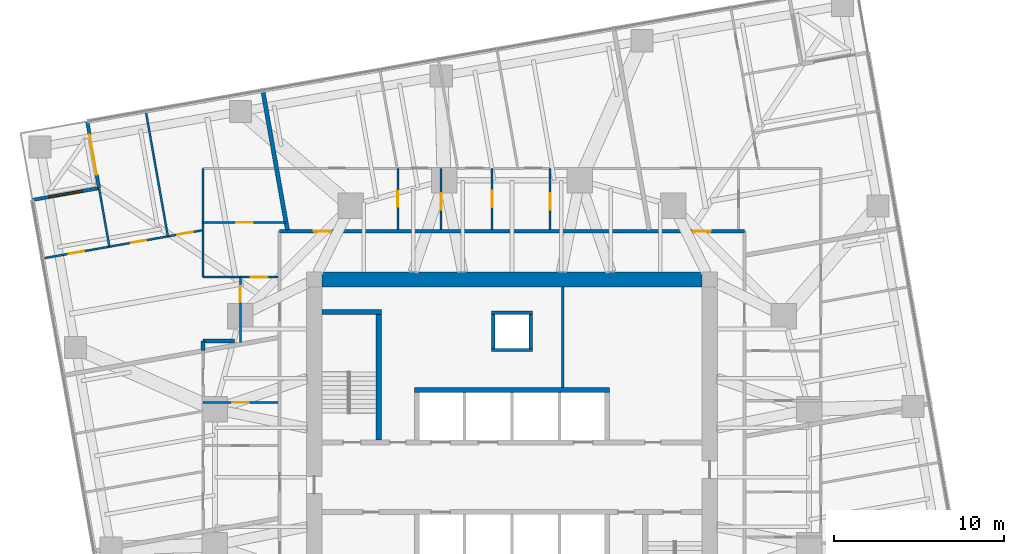
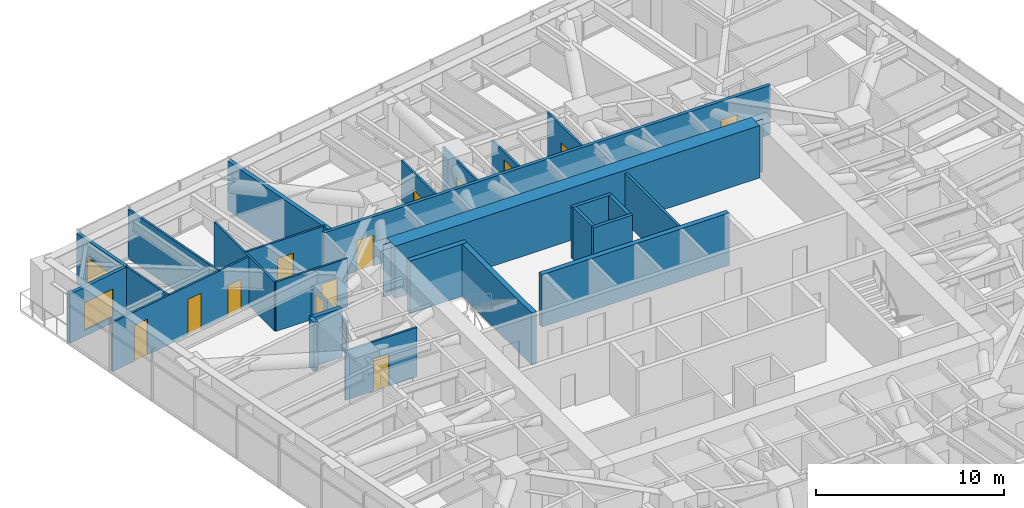
# One storey, part 14 of 17: 27 walls, 14 doors, 1 window, 15 openings.
"""IFC4 building model written with IfcOpenShell, lengths in metres."""

from ifc_helpers import new_model, si_unit, direction, frame, frame_2d, origin, place, context, subcontext, project, spatial, polyline, rectangle, outline, extrude, material, layer, layer_set, type_object, element, fill, save


model = new_model("IFC4")

# Units and contexts
model_context = context("Model", 3, precision=1e-05, world=origin(), true_north=direction((0.0, 1.0)))
body_context = subcontext(model_context, "Body", "Model", "MODEL_VIEW")
ifc_project = project(units=[si_unit("LENGTHUNIT", "METRE"), si_unit("AREAUNIT", "SQUARE_METRE"), si_unit("VOLUMEUNIT", "CUBIC_METRE"), si_unit("PLANEANGLEUNIT", "RADIAN"), si_unit("MASSUNIT", "GRAM", prefix="KILO")], contexts=[model_context])

# Site, building, storey
site_placement = place(None, origin())
site = spatial("IfcSite", under=ifc_project, at=site_placement, CompositionType="ELEMENT")
building_placement = place(site_placement, origin())
building = spatial("IfcBuilding", under=site, at=building_placement, Name="Torsade Residences", CompositionType="ELEMENT")
storey_placement = place(building_placement, frame((0.0, 0.0, 103.199951171875)))
storey = spatial("IfcBuildingStorey", under=building, at=storey_placement, Name="L28", CompositionType="ELEMENT", Elevation=103.199951171875)

# Walls
ifc_material_1 = material(Name="Concrete 80 MPa", Category="concrete")
ifc_layer_1 = layer(ifc_material_1, 0.300048828125)
ifc_layer_set_1 = layer_set([ifc_layer_1], Name="Concrete 80 MPa")
wall_type_1 = type_object("IfcWallType", Name="CORE INTERNAL WALL 300", PredefinedType="SHEAR", material=ifc_layer_set_1)
wall_1_placement = place(storey_placement, frame((34.25, 35.14990234375, 0.0), z_axis=(0.0, 0.0, 1.0), x_axis=(1.0, 0.0, 0.0)))
element("IfcWall", 1, at=wall_1_placement, inside=storey, type_object=wall_type_1, Name="Core wall BN L28", PredefinedType="SHEAR", context=body_context, shape_type="SweptSolid", body=[
    extrude(rectangle(XDim=11.5, YDim=0.300048828125, at=frame_2d((5.75, 0.0))), origin(), (0.0, 0.0, 1.0), 3.400146484375),
])
wall_2_placement = place(storey_placement, frame((32.14990234375, 32.199951171875, 0.0), z_axis=(0.0, 0.0, 1.0), x_axis=(0.0, 1.0, 0.0)))
element("IfcWall", 2, at=wall_2_placement, inside=storey, type_object=wall_type_1, Name="Core wall ST1E L28", PredefinedType="SHEAR", context=body_context, shape_type="SweptSolid", body=[
    extrude(rectangle(XDim=7.699951171875, YDim=0.300048828125, at=frame_2d((3.85009765625, 0.0))), origin(), (0.0, 0.0, 1.0), 3.400146484375),
])
wall_3_placement = place(storey_placement, frame((28.800048828125, 39.75, 0.0), z_axis=(0.0, 0.0, 1.0), x_axis=(1.0, 0.0, 0.0)))
element("IfcWall", 3, at=wall_3_placement, inside=storey, type_object=wall_type_1, Name="Core wall ST1N L28", PredefinedType="SHEAR", context=body_context, shape_type="SweptSolid", body=[
    extrude(rectangle(XDim=3.5, YDim=0.300048828125, at=frame_2d((1.75, 0.0))), origin(), (0.0, 0.0, 1.0), 3.400146484375),
])
ifc_material_2 = material(Name="Concrete 80 MPa", Category="concrete")
ifc_layer_2 = layer(ifc_material_2, 0.89990234375)
ifc_layer_set_2 = layer_set([ifc_layer_2], Name="Concrete 80 MPa")
wall_type_2 = type_object("IfcWallType", Name="CORE WALL 900", PredefinedType="SHEAR", material=ifc_layer_set_2)
wall_4_placement = place(storey_placement, frame((28.800048828125, 41.64990234375, 0.0), z_axis=(0.0, 0.0, 1.0), x_axis=(1.0, 0.0, 0.0)))
element("IfcWall", 4, at=wall_4_placement, inside=storey, type_object=wall_type_2, Name="Core wall N L28", PredefinedType="SHEAR", context=body_context, shape_type="SweptSolid", body=[
    extrude(outline(polyline([(0.0, -0.449951171875), (22.39990234375, -0.449951171875), (22.39990234375, -0.02490234375), (22.849853515625, -0.02490234375), (22.849853515625, 0.02490234375), (22.39990234375, 0.02490234375), (22.39990234375, 0.449951171875), (0.0, 0.449951171875), (0.0, 0.02490234375), (-0.449951171875, 0.02490234375), (-0.449951171875, -0.02490234375), (0.0, -0.02490234375), (0.0, -0.449951171875)])), origin(), (0.0, 0.0, 1.0), 3.400146484375),
])

# Wall, openings, doors
ifc_material_3 = material(Name="Plasterboard on steel stud", Category="steel")
ifc_layer_3 = layer(ifc_material_3, 0.199951171875)
ifc_layer_set_3 = layer_set([ifc_layer_3], Name="Plasterboard on steel stud")
wall_type_3 = type_object("IfcWallType", Name="CORRIDOR WALL 200", PredefinedType="PARTITIONING", material=ifc_layer_set_3)
wall_5_placement = place(storey_placement, frame((53.699951171875, 44.5, 0.0), z_axis=(0.0, 0.0, 1.0), x_axis=(-1.0, 0.0, 0.0)))
wall_5 = element("IfcWall", 5, at=wall_5_placement, inside=storey, type_object=wall_type_3, Name="Corridor wall L28", PredefinedType="PARTITIONING", context=body_context, shape_type="SweptSolid", body=[
    extrude(rectangle(XDim=27.39990234375, YDim=0.199951171875, at=frame_2d((13.699951171875, 0.0))), origin(), (0.0, 0.0, 1.0), 3.199951171875),
])
opening_1_placement = place(wall_5_placement, frame((24.355712890625, 0.0, 0.0)))
opening_1 = element("IfcOpeningElement", 6, at=opening_1_placement, cuts=wall_5, Name="Opening D01N", PredefinedType="OPENING", context=body_context, shape_type="SweptSolid", body=[
    extrude(rectangle(XDim=1.02001953125, YDim=2.0, at=frame_2d((0.510009765625, 1.0))), frame((0.0, 0.10986328125, 0.0), z_axis=(0.0, -1.0, 0.0), x_axis=(1.0, 0.0, 0.0)), (0.0, 0.0, 1.0), 0.219970703125),
])
opening_2_placement = place(wall_5_placement, frame((2.00537109375, 0.0, 0.0)))
opening_2 = element("IfcOpeningElement", 7, at=opening_2_placement, cuts=wall_5, Name="Opening D01N", PredefinedType="OPENING", context=body_context, shape_type="SweptSolid", body=[
    extrude(rectangle(XDim=1.02001953125, YDim=2.0, at=frame_2d((0.510009765625, 1.0))), frame((0.0, 0.10986328125, 0.0), z_axis=(0.0, -1.0, 0.0), x_axis=(1.0, 0.0, 0.0)), (0.0, 0.0, 1.0), 0.219970703125),
])
ifc_material_4 = material(Name="Solid-core timber fire door", Category="wood")
door_type_1 = type_object("IfcDoorType", Name="APARTMENT ENTRY DOOR 1020x2000", OperationType="NOTDEFINED", PredefinedType="DOOR", material=ifc_material_4)
door_1_placement = place(opening_1_placement, origin())
door_1 = element("IfcDoor", 8, at=door_1_placement, inside=storey, type_object=door_type_1, Name="Door Residential corridor to Kitchen and dining", OperationType="SINGLE_SWING_RIGHT", OverallHeight=2.0, OverallWidth=1.02001953125, PredefinedType="DOOR", context=body_context, shape_type="SweptSolid", body=[
    extrude(rectangle(XDim=1.02001953125, YDim=2.0, at=frame_2d((0.510009765625, 1.0))), frame((0.0, 0.02490234375, 0.0), z_axis=(0.0, -1.0, 0.0), x_axis=(1.0, 0.0, 0.0)), (0.0, 0.0, 1.0), 0.050048828125),
])
fill(opening_1, door_1)
door_2_placement = place(opening_2_placement, origin())
door_2 = element("IfcDoor", 9, at=door_2_placement, inside=storey, type_object=door_type_1, Name="Door Residential corridor to Kitchen and dining", OperationType="SINGLE_SWING_LEFT", OverallHeight=2.0, OverallWidth=1.02001953125, PredefinedType="DOOR", context=body_context, shape_type="SweptSolid", body=[
    extrude(rectangle(XDim=1.02001953125, YDim=2.0, at=frame_2d((0.510009765625, 1.0))), frame((0.0, 0.02490234375, 0.0), z_axis=(0.0, -1.0, 0.0), x_axis=(1.0, 0.0, 0.0)), (0.0, 0.0, 1.0), 0.050048828125),
])
fill(opening_2, door_2)

# Wall, opening, door
ifc_material_5 = material(Name="Plasterboard on steel stud", Category="steel")
ifc_layer_4 = layer(ifc_material_5, 0.1201171875)
ifc_layer_set_4 = layer_set([ifc_layer_4], Name="Plasterboard on steel stud")
wall_type_4 = type_object("IfcWallType", Name="PARTITION 120", PredefinedType="PARTITIONING", material=ifc_layer_set_4)
wall_6_placement = place(storey_placement, frame((33.2734375, 48.199951171875, 0.0), z_axis=(0.0, 0.0, 1.0), x_axis=(0.0, -1.0, 0.0)))
wall_6 = element("IfcWall", 10, at=wall_6_placement, inside=storey, type_object=wall_type_4, Name="Partition L28", PredefinedType="PARTITIONING", context=body_context, shape_type="SweptSolid", body=[
    extrude(rectangle(XDim=3.599853515625, YDim=0.1201171875, at=frame_2d((1.7998046875, 0.0))), origin(), (0.0, 0.0, 1.0), 3.199951171875),
])
opening_3_placement = place(wall_6_placement, frame((1.340087890625, 0.0, 0.0)))
opening_3 = element("IfcOpeningElement", 11, at=opening_3_placement, cuts=wall_6, Name="Opening D02L", PredefinedType="OPENING", context=body_context, shape_type="SweptSolid", body=[
    extrude(rectangle(XDim=0.919921875, YDim=2.10009765625, at=frame_2d((0.4599609375, 1.050048828125))), frame((0.0, 0.070068359375, 0.0), z_axis=(0.0, -1.0, 0.0), x_axis=(1.0, 0.0, 0.0)), (0.0, 0.0, 1.0), 0.14013671875),
])
ifc_material_6 = material(Name="Hollow-core timber door", Category="wood")
door_type_2 = type_object("IfcDoorType", Name="INTERNAL DOOR 920x2100", OperationType="NOTDEFINED", PredefinedType="DOOR", material=ifc_material_6)
door_3_placement = place(opening_3_placement, origin())
door_3 = element("IfcDoor", 12, at=door_3_placement, inside=storey, type_object=door_type_2, Name="Door Kitchen and dining to Study", OperationType="SINGLE_SWING_LEFT", OverallHeight=2.10009765625, OverallWidth=0.919921875, PredefinedType="DOOR", context=body_context, shape_type="SweptSolid", body=[
    extrude(rectangle(XDim=0.919921875, YDim=2.10009765625, at=frame_2d((0.4599609375, 1.050048828125))), frame((0.0, 0.02490234375, 0.0), z_axis=(0.0, -1.0, 0.0), x_axis=(1.0, 0.0, 0.0)), (0.0, 0.0, 1.0), 0.050048828125),
])
fill(opening_3, door_3)

wall_7_placement = place(storey_placement, frame((42.247802734375, 44.60009765625, 0.0), z_axis=(0.0, 0.0, 1.0), x_axis=(0.0, 1.0, 0.0)))
wall_7 = element("IfcWall", 13, at=wall_7_placement, inside=storey, type_object=wall_type_4, Name="Partition L28", PredefinedType="PARTITIONING", context=body_context, shape_type="SweptSolid", body=[
    extrude(rectangle(XDim=3.599853515625, YDim=0.1201171875, at=frame_2d((1.7998046875, 0.0))), origin(), (0.0, 0.0, 1.0), 3.199951171875),
])
opening_4_placement = place(wall_7_placement, frame((1.169921875, 0.0, 0.0)))
opening_4 = element("IfcOpeningElement", 14, at=opening_4_placement, cuts=wall_7, Name="Opening D05", PredefinedType="OPENING", context=body_context, shape_type="SweptSolid", body=[
    extrude(rectangle(XDim=0.9599609375, YDim=2.10009765625, at=frame_2d((0.47998046875, 1.050048828125))), frame((0.0, 0.070068359375, 0.0), z_axis=(0.0, -1.0, 0.0), x_axis=(1.0, 0.0, 0.0)), (0.0, 0.0, 1.0), 0.14013671875),
])
ifc_material_7 = material(Name="Hollow-core timber door in a steel cavity frame", Category="steel")
door_type_3 = type_object("IfcDoorType", Name="BATHROOM CAVITY SLIDING DOOR 960", OperationType="SLIDING_TO_LEFT", PredefinedType="DOOR", material=ifc_material_7)
door_4_placement = place(opening_4_placement, origin())
door_4 = element("IfcDoor", 15, at=door_4_placement, inside=storey, type_object=door_type_3, Name="Door Ensuite to Bathroom", OperationType="SLIDING_TO_LEFT", OverallHeight=2.10009765625, OverallWidth=0.9599609375, PredefinedType="DOOR", context=body_context, shape_type="SweptSolid", body=[
    extrude(rectangle(XDim=0.9599609375, YDim=2.10009765625, at=frame_2d((0.47998046875, 1.050048828125))), frame((0.0, 0.02490234375, 0.0), z_axis=(0.0, -1.0, 0.0), x_axis=(1.0, 0.0, 0.0)), (0.0, 0.0, 1.0), 0.050048828125),
])
fill(opening_4, door_4)

wall_8_placement = place(storey_placement, frame((38.83056640625, 44.60009765625, 0.0), z_axis=(0.0, 0.0, 1.0), x_axis=(0.0, 1.0, 0.0)))
wall_8 = element("IfcWall", 16, at=wall_8_placement, inside=storey, type_object=wall_type_4, Name="Partition L28", PredefinedType="PARTITIONING", context=body_context, shape_type="SweptSolid", body=[
    extrude(rectangle(XDim=3.599853515625, YDim=0.1201171875, at=frame_2d((1.7998046875, 0.0))), origin(), (0.0, 0.0, 1.0), 2.588134765625),
])
opening_5_placement = place(wall_8_placement, frame((1.320068359375, 0.0, 0.0)))
opening_5 = element("IfcOpeningElement", 17, at=opening_5_placement, cuts=wall_8, Name="Opening D05", PredefinedType="OPENING", context=body_context, shape_type="SweptSolid", body=[
    extrude(rectangle(XDim=0.9599609375, YDim=2.10009765625, at=frame_2d((0.47998046875, 1.050048828125))), frame((0.0, 0.070068359375, 0.0), z_axis=(0.0, -1.0, 0.0), x_axis=(1.0, 0.0, 0.0)), (0.0, 0.0, 1.0), 0.14013671875),
])
door_5_placement = place(opening_5_placement, origin())
door_5 = element("IfcDoor", 18, at=door_5_placement, inside=storey, type_object=door_type_3, Name="Door Laundry to Ensuite", OperationType="SLIDING_TO_LEFT", OverallHeight=2.10009765625, OverallWidth=0.9599609375, PredefinedType="DOOR", context=body_context, shape_type="SweptSolid", body=[
    extrude(rectangle(XDim=0.9599609375, YDim=2.10009765625, at=frame_2d((0.47998046875, 1.050048828125))), frame((0.0, 0.02490234375, 0.0), z_axis=(0.0, -1.0, 0.0), x_axis=(1.0, 0.0, 0.0)), (0.0, 0.0, 1.0), 0.050048828125),
])
fill(opening_5, door_5)

wall_9_placement = place(storey_placement, frame((35.8271484375, 44.60009765625, 0.0), z_axis=(0.0, 0.0, 1.0), x_axis=(0.0, 1.0, 0.0)))
wall_9 = element("IfcWall", 19, at=wall_9_placement, inside=storey, type_object=wall_type_4, Name="Partition L28", PredefinedType="PARTITIONING", context=body_context, shape_type="SweptSolid", body=[
    extrude(rectangle(XDim=3.599853515625, YDim=0.1201171875, at=frame_2d((1.7998046875, 0.0))), origin(), (0.0, 0.0, 1.0), 3.199951171875),
])
opening_6_placement = place(wall_9_placement, frame((1.169921875, 0.0, 0.0)))
opening_6 = element("IfcOpeningElement", 20, at=opening_6_placement, cuts=wall_9, Name="Opening D05", PredefinedType="OPENING", context=body_context, shape_type="SweptSolid", body=[
    extrude(rectangle(XDim=0.9599609375, YDim=2.10009765625, at=frame_2d((0.47998046875, 1.050048828125))), frame((0.0, 0.070068359375, 0.0), z_axis=(0.0, -1.0, 0.0), x_axis=(1.0, 0.0, 0.0)), (0.0, 0.0, 1.0), 0.14013671875),
])
door_6_placement = place(opening_6_placement, origin())
door_6 = element("IfcDoor", 21, at=door_6_placement, inside=storey, type_object=door_type_3, Name="Door Study to Laundry", OperationType="SLIDING_TO_LEFT", OverallHeight=2.10009765625, OverallWidth=0.9599609375, PredefinedType="DOOR", context=body_context, shape_type="SweptSolid", body=[
    extrude(rectangle(XDim=0.9599609375, YDim=2.10009765625, at=frame_2d((0.47998046875, 1.050048828125))), frame((0.0, 0.02490234375, 0.0), z_axis=(0.0, -1.0, 0.0), x_axis=(1.0, 0.0, 0.0)), (0.0, 0.0, 1.0), 0.050048828125),
])
fill(opening_6, door_6)

wall_10_placement = place(storey_placement, frame((21.800048828125, 41.794677734375, 0.0), z_axis=(0.0, 0.0, 1.0), x_axis=(1.0, 0.0, 0.0)))
wall_10 = element("IfcWall", 22, at=wall_10_placement, inside=storey, type_object=wall_type_4, Name="Partition L28", PredefinedType="PARTITIONING", context=body_context, shape_type="SweptSolid", body=[
    extrude(rectangle(XDim=4.39990234375, YDim=0.1201171875, at=frame_2d((2.199951171875, 0.0))), origin(), (0.0, 0.0, 1.0), 3.199951171875),
])
opening_7_placement = place(wall_10_placement, frame((2.820068359375, 0.0, 0.0)))
opening_7 = element("IfcOpeningElement", 23, at=opening_7_placement, cuts=wall_10, Name="Opening D05", PredefinedType="OPENING", context=body_context, shape_type="SweptSolid", body=[
    extrude(rectangle(XDim=0.9599609375, YDim=2.10009765625, at=frame_2d((0.47998046875, 1.050048828125))), frame((0.0, 0.070068359375, 0.0), z_axis=(0.0, -1.0, 0.0), x_axis=(1.0, 0.0, 0.0)), (0.0, 0.0, 1.0), 0.14013671875),
])
door_7_placement = place(opening_7_placement, origin())
door_7 = element("IfcDoor", 24, at=door_7_placement, inside=storey, type_object=door_type_3, Name="Door Kitchen and dining to Bathroom", OperationType="SLIDING_TO_LEFT", OverallHeight=2.10009765625, OverallWidth=0.9599609375, PredefinedType="DOOR", context=body_context, shape_type="SweptSolid", body=[
    extrude(rectangle(XDim=0.9599609375, YDim=2.10009765625, at=frame_2d((0.47998046875, 1.050048828125))), frame((0.0, 0.02490234375, 0.0), z_axis=(0.0, -1.0, 0.0), x_axis=(1.0, 0.0, 0.0)), (0.0, 0.0, 1.0), 0.050048828125),
])
fill(opening_7, door_7)

wall_11_placement = place(storey_placement, frame((24.0, 37.94775390625, 0.0), z_axis=(0.0, 0.0, 1.0), x_axis=(0.0, 1.0, 0.0)))
wall_11 = element("IfcWall", 25, at=wall_11_placement, inside=storey, type_object=wall_type_4, Name="Partition L28", PredefinedType="PARTITIONING", context=body_context, shape_type="SweptSolid", body=[
    extrude(rectangle(XDim=3.846923828125, YDim=0.1201171875, at=frame_2d((1.92333984375, 0.0))), origin(), (0.0, 0.0, 1.0), 2.199951171875),
])
opening_8_placement = place(wall_11_placement, frame((2.40185546875, 0.0, 0.0)))
opening_8 = element("IfcOpeningElement", 26, at=opening_8_placement, cuts=wall_11, Name="Opening D02N", PredefinedType="OPENING", context=body_context, shape_type="SweptSolid", body=[
    extrude(rectangle(XDim=0.919921875, YDim=2.0, at=frame_2d((0.4599609375, 1.0))), frame((0.0, 0.070068359375, 0.0), z_axis=(0.0, -1.0, 0.0), x_axis=(1.0, 0.0, 0.0)), (0.0, 0.0, 1.0), 0.14013671875),
])
ifc_material_8 = material(Name="Hollow-core timber door", Category="wood")
door_type_4 = type_object("IfcDoorType", Name="INTERNAL DOOR 920x2000", OperationType="NOTDEFINED", PredefinedType="DOOR", material=ifc_material_8)
door_8_placement = place(opening_8_placement, origin())
door_8 = element("IfcDoor", 27, at=door_8_placement, inside=storey, type_object=door_type_4, Name="Door Kitchen and dining to Living room", OperationType="SINGLE_SWING_LEFT", OverallHeight=2.0, OverallWidth=0.919921875, PredefinedType="DOOR", context=body_context, shape_type="SweptSolid", body=[
    extrude(rectangle(XDim=0.919921875, YDim=2.0, at=frame_2d((0.4599609375, 1.0))), frame((0.0, 0.02490234375, 0.0), z_axis=(0.0, -1.0, 0.0), x_axis=(1.0, 0.0, 0.0)), (0.0, 0.0, 1.0), 0.050048828125),
])
fill(opening_8, door_8)

wall_12_placement = place(storey_placement, frame((21.800048828125, 45.0166015625, 0.0), z_axis=(0.0, 0.0, 1.0), x_axis=(1.0, 0.0, 0.0)))
wall_12 = element("IfcWall", 28, at=wall_12_placement, inside=storey, type_object=wall_type_4, Name="Partition L28", PredefinedType="PARTITIONING", context=body_context, shape_type="SweptSolid", body=[
    extrude(rectangle(XDim=4.89013671875, YDim=0.1201171875, at=frame_2d((2.445068359375, 0.0))), origin(), (0.0, 0.0, 1.0), 3.199951171875),
])
opening_9_placement = place(wall_12_placement, frame((1.965087890625, 0.0, 0.0)))
opening_9 = element("IfcOpeningElement", 29, at=opening_9_placement, cuts=wall_12, Name="Opening D05", PredefinedType="OPENING", context=body_context, shape_type="SweptSolid", body=[
    extrude(rectangle(XDim=0.9599609375, YDim=2.10009765625, at=frame_2d((0.47998046875, 1.050048828125))), frame((0.0, 0.070068359375, 0.0), z_axis=(0.0, -1.0, 0.0), x_axis=(1.0, 0.0, 0.0)), (0.0, 0.0, 1.0), 0.14013671875),
])
door_9_placement = place(opening_9_placement, origin())
door_9 = element("IfcDoor", 30, at=door_9_placement, inside=storey, type_object=door_type_3, Name="Door Bathroom to Dressing room", OperationType="SLIDING_TO_LEFT", OverallHeight=2.10009765625, OverallWidth=0.9599609375, PredefinedType="DOOR", context=body_context, shape_type="SweptSolid", body=[
    extrude(rectangle(XDim=0.9599609375, YDim=2.10009765625, at=frame_2d((0.47998046875, 1.050048828125))), frame((0.0, 0.02490234375, 0.0), z_axis=(0.0, -1.0, 0.0), x_axis=(1.0, 0.0, 0.0)), (0.0, 0.0, 1.0), 0.050048828125),
])
fill(opening_9, door_9)

# Wall
wall_13_placement = place(storey_placement, frame((21.800048828125, 41.794677734375, 0.0), z_axis=(0.0, 0.0, 1.0), x_axis=(0.0, 1.0, 0.0)))
element("IfcWall", 31, at=wall_13_placement, inside=storey, type_object=wall_type_4, Name="Partition L28", PredefinedType="PARTITIONING", context=body_context, shape_type="SweptSolid", body=[
    extrude(rectangle(XDim=6.4052734375, YDim=0.1201171875, at=frame_2d((3.20263671875, 0.0))), origin(), (0.0, 0.0, 1.0), 3.199951171875),
])

# Wall, openings, doors
wall_14_placement = place(storey_placement, frame((12.38037109375, 42.89990234375, 0.0), z_axis=(0.0, 0.0, 1.0), x_axis=(0.984808730291, 0.173642635155, 0.0)))
wall_14 = element("IfcWall", 32, at=wall_14_placement, inside=storey, type_object=wall_type_4, Name="Partition L28", PredefinedType="PARTITIONING", context=body_context, shape_type="SweptSolid", body=[
    extrude(rectangle(XDim=9.56494140625, YDim=0.1201171875, at=frame_2d((4.782470703125, 0.0))), origin(), (0.0, 0.0, 1.0), 3.199951171875),
])
opening_10_placement = place(wall_14_placement, frame((1.525146484375, 0.0, 0.0)))
opening_10 = element("IfcOpeningElement", 33, at=opening_10_placement, cuts=wall_14, Name="Opening D02", PredefinedType="OPENING", context=body_context, shape_type="SweptSolid", body=[
    extrude(rectangle(XDim=0.919921875, YDim=2.340087890625, at=frame_2d((0.4599609375, 1.169921875))), frame((0.0, 0.070068359375, 0.0), z_axis=(0.0, -1.0, 0.0), x_axis=(1.0, 0.0, 0.0)), (0.0, 0.0, 1.0), 0.14013671875),
])
opening_11_placement = place(wall_14_placement, frame((5.25, 0.0, 0.0)))
opening_11 = element("IfcOpeningElement", 34, at=opening_11_placement, cuts=wall_14, Name="Opening D02", PredefinedType="OPENING", context=body_context, shape_type="SweptSolid", body=[
    extrude(rectangle(XDim=0.919921875, YDim=2.340087890625, at=frame_2d((0.4599609375, 1.169921875))), frame((0.0, 0.070068359375, 0.0), z_axis=(0.0, -1.0, 0.0), x_axis=(1.0, 0.0, 0.0)), (0.0, 0.0, 1.0), 0.14013671875),
])
opening_12_placement = place(wall_14_placement, frame((8.027587890625, 0.0, 0.0)))
opening_12 = element("IfcOpeningElement", 35, at=opening_12_placement, cuts=wall_14, Name="Opening D02N", PredefinedType="OPENING", context=body_context, shape_type="SweptSolid", body=[
    extrude(rectangle(XDim=0.919921875, YDim=2.0, at=frame_2d((0.4599609375, 1.0))), frame((0.0, 0.070068359375, 0.0), z_axis=(0.0, -1.0, 0.0), x_axis=(1.0, 0.0, 0.0)), (0.0, 0.0, 1.0), 0.14013671875),
])
door_10_placement = place(opening_12_placement, origin())
door_10 = element("IfcDoor", 36, at=door_10_placement, inside=storey, type_object=door_type_4, Name="Door Living room to Bedroom 1", OperationType="SINGLE_SWING_LEFT", OverallHeight=2.0, OverallWidth=0.919921875, PredefinedType="DOOR", context=body_context, shape_type="SweptSolid", body=[
    extrude(rectangle(XDim=0.919921875, YDim=2.0, at=frame_2d((0.4599609375, 1.0))), frame((0.0, 0.02490234375, 0.0), z_axis=(0.0, -1.0, 0.0), x_axis=(1.0, 0.0, 0.0)), (0.0, 0.0, 1.0), 0.050048828125),
])
fill(opening_12, door_10)
ifc_material_9 = material(Name="Hollow-core timber door", Category="wood")
door_type_5 = type_object("IfcDoorType", Name="INTERNAL DOOR 920x2340", OperationType="NOTDEFINED", PredefinedType="DOOR", material=ifc_material_9)
door_11_placement = place(opening_10_placement, origin())
door_11 = element("IfcDoor", 37, at=door_11_placement, inside=storey, type_object=door_type_5, Name="Door Living room to Study", OperationType="SINGLE_SWING_RIGHT", OverallHeight=2.340087890625, OverallWidth=0.919921875, PredefinedType="DOOR", context=body_context, shape_type="SweptSolid", body=[
    extrude(rectangle(XDim=0.919921875, YDim=2.340087890625, at=frame_2d((0.4599609375, 1.169921875))), frame((0.0, 0.02490234375, 0.0), z_axis=(0.0, -1.0, 0.0), x_axis=(1.0, 0.0, 0.0)), (0.0, 0.0, 1.0), 0.050048828125),
])
fill(opening_10, door_11)
door_12_placement = place(opening_11_placement, origin())
door_12 = element("IfcDoor", 38, at=door_12_placement, inside=storey, type_object=door_type_5, Name="Door Living room to Bedroom 2", OperationType="SINGLE_SWING_RIGHT", OverallHeight=2.340087890625, OverallWidth=0.919921875, PredefinedType="DOOR", context=body_context, shape_type="SweptSolid", body=[
    extrude(rectangle(XDim=0.919921875, YDim=2.340087890625, at=frame_2d((0.4599609375, 1.169921875))), frame((0.0, 0.02490234375, 0.0), z_axis=(0.0, -1.0, 0.0), x_axis=(1.0, 0.0, 0.0)), (0.0, 0.0, 1.0), 0.050048828125),
])
fill(opening_11, door_12)

# Walls
wall_15_placement = place(storey_placement, frame((19.72705078125, 44.1953125, 0.0), z_axis=(0.0, 0.0, 1.0), x_axis=(-0.173647177755, 0.984807929323, 0.0)))
element("IfcWall", 39, at=wall_15_placement, inside=storey, type_object=wall_type_4, Name="Partition L28", PredefinedType="PARTITIONING", context=body_context, shape_type="SweptSolid", body=[
    extrude(rectangle(XDim=7.4599609375, YDim=0.1201171875, at=frame_2d((3.72998046875, 0.0))), origin(), (0.0, 0.0, 1.0), 3.199951171875),
])
wall_16_placement = place(storey_placement, frame((16.2802734375, 43.587646484375, 0.0), z_axis=(0.0, 0.0, 1.0), x_axis=(-0.173660541335, 0.984805572884, 0.0)))
element("IfcWall", 40, at=wall_16_placement, inside=storey, type_object=wall_type_4, Name="Partition L28", PredefinedType="PARTITIONING", context=body_context, shape_type="SweptSolid", body=[
    extrude(rectangle(XDim=3.459716796875, YDim=0.1201171875, at=frame_2d((1.72998046875, 0.0))), origin(), (0.0, 0.0, 1.0), 3.199951171875),
])

# Wall, opening, door
wall_17_placement = place(storey_placement, frame((26.199951171875, 34.408935546875, 0.0), z_axis=(0.0, 0.0, 1.0), x_axis=(-1.0, 0.0, 0.0)))
wall_17 = element("IfcWall", 41, at=wall_17_placement, inside=storey, type_object=wall_type_4, Name="Partition L28", PredefinedType="PARTITIONING", context=body_context, shape_type="SweptSolid", body=[
    extrude(rectangle(XDim=4.39990234375, YDim=0.1201171875, at=frame_2d((2.199951171875, 0.0))), origin(), (0.0, 0.0, 1.0), 3.199951171875),
])
opening_13_placement = place(wall_17_placement, frame((1.719970703125, 0.0, 0.0)))
opening_13 = element("IfcOpeningElement", 42, at=opening_13_placement, cuts=wall_17, Name="Opening D05", PredefinedType="OPENING", context=body_context, shape_type="SweptSolid", body=[
    extrude(rectangle(XDim=0.9599609375, YDim=2.10009765625, at=frame_2d((0.47998046875, 1.050048828125))), frame((0.0, 0.070068359375, 0.0), z_axis=(0.0, -1.0, 0.0), x_axis=(1.0, 0.0, 0.0)), (0.0, 0.0, 1.0), 0.14013671875),
])
door_13_placement = place(opening_13_placement, origin())
door_13 = element("IfcDoor", 43, at=door_13_placement, inside=storey, type_object=door_type_3, Name="Door Ensuite to Bathroom", OperationType="SLIDING_TO_LEFT", OverallHeight=2.10009765625, OverallWidth=0.9599609375, PredefinedType="DOOR", context=body_context, shape_type="SweptSolid", body=[
    extrude(rectangle(XDim=0.9599609375, YDim=2.10009765625, at=frame_2d((0.47998046875, 1.050048828125))), frame((0.0, 0.02490234375, 0.0), z_axis=(0.0, -1.0, 0.0), x_axis=(1.0, 0.0, 0.0)), (0.0, 0.0, 1.0), 0.050048828125),
])
fill(opening_13, door_13)

# Walls
ifc_material_10 = material(Name="Masonry-lined stud party wall", Category="masonry")
ifc_layer_5 = layer(ifc_material_10, 0.25)
ifc_layer_set_5 = layer_set([ifc_layer_5], Name="Masonry-lined stud party wall")
wall_type_5 = type_object("IfcWallType", Name="PARTY WALL 250", PredefinedType="PARTITIONING", material=ifc_layer_set_5)
wall_18_placement = place(storey_placement, frame((25.318359375, 52.796875, 0.0), z_axis=(0.0, 0.0, 1.0), x_axis=(0.173651756605, -0.984807121942, 0.0)))
element("IfcWall", 44, at=wall_18_placement, inside=storey, type_object=wall_type_5, Name="Party wall L28", PredefinedType="PARTITIONING", context=body_context, shape_type="SweptSolid", body=[
    extrude(rectangle(XDim=8.34130859375, YDim=0.25, at=frame_2d((4.170654296875, 0.0))), origin(), (0.0, 0.0, 1.0), 3.199951171875),
])
wall_19_placement = place(storey_placement, frame((21.800048828125, 37.47802734375, 0.0), z_axis=(0.0, 0.0, 1.0), x_axis=(0.0, 1.0, 0.0)))
element("IfcWall", 45, at=wall_19_placement, inside=storey, type_object=wall_type_5, Name="Party wall L28", PredefinedType="PARTITIONING", context=body_context, shape_type="SweptSolid", body=[
    extrude(rectangle(XDim=0.546630859375, YDim=0.25, at=frame_2d((0.2734375, 0.0))), origin(), (0.0, 0.0, 1.0), 3.199951171875),
])
wall_20_placement = place(storey_placement, frame((21.800048828125, 38.024658203125, 0.0), z_axis=(0.0, 0.0, 1.0), x_axis=(1.0, 0.0, 0.0)))
element("IfcWall", 46, at=wall_20_placement, inside=storey, type_object=wall_type_5, Name="Party wall L28", PredefinedType="PARTITIONING", context=body_context, shape_type="SweptSolid", body=[
    extrude(rectangle(XDim=1.86083984375, YDim=0.25, at=frame_2d((0.930419921875, 0.0))), origin(), (0.0, 0.0, 1.0), 3.199951171875),
])
ifc_material_11 = material(Name="Reinforced blockwork", Category="masonry")
ifc_layer_6 = layer(ifc_material_11, 0.199951171875)
ifc_layer_set_6 = layer_set([ifc_layer_6], Name="Reinforced blockwork")
wall_type_6 = type_object("IfcWallType", Name="RISER SHAFT WALL 200", PredefinedType="SOLIDWALL", material=ifc_layer_set_6)
for number, where, z_axis, x_axis, name in (
    (47, (38.89990234375, 37.60009765625, 0.0), (0.0, 0.0, 1.0), (0.0, 1.0, 0.0), "Core wall RS1a L28"),
    (48, (41.10009765625, 37.60009765625, 0.0), (0.0, 0.0, 1.0), (0.0, 1.0, 0.0), "Core wall RS1b L28"),
):
    element("IfcWall", number, at=place(storey_placement, frame(where, z_axis=z_axis, x_axis=x_axis)), inside=storey, type_object=wall_type_6, Name=name, PredefinedType="SOLIDWALL", context=body_context, shape_type="SweptSolid", body=[
        extrude(rectangle(XDim=2.0, YDim=0.199951171875, at=frame_2d((1.0, 0.0))), origin(), (0.0, 0.0, 1.0), 3.400146484375),
    ])
for number, where, z_axis, x_axis, name in (
    (49, (38.800048828125, 37.5, 0.0), (0.0, 0.0, 1.0), (1.0, 0.0, 0.0), "Core wall RS1c L28"),
    (50, (38.800048828125, 39.699951171875, 0.0), (0.0, 0.0, 1.0), (1.0, 0.0, 0.0), "Core wall RS1d L28"),
):
    element("IfcWall", number, at=place(storey_placement, frame(where, z_axis=z_axis, x_axis=x_axis)), inside=storey, type_object=wall_type_6, Name=name, PredefinedType="SOLIDWALL", context=body_context, shape_type="SweptSolid", body=[
        extrude(rectangle(XDim=2.39990234375, YDim=0.199951171875, at=frame_2d((1.199951171875, 0.0))), origin(), (0.0, 0.0, 1.0), 3.400146484375),
    ])
ifc_material_12 = material(Name="Reinforced blockwork", Category="masonry")
ifc_layer_7 = layer(ifc_material_12, 0.14990234375)
ifc_layer_set_7 = layer_set([ifc_layer_7], Name="Reinforced blockwork")
wall_type_7 = type_object("IfcWallType", Name="SERVICE ROOM WALL 150", PredefinedType="SOLIDWALL", material=ifc_layer_set_7)
wall_21_placement = place(storey_placement, frame((43.0, 41.199951171875, 0.0), z_axis=(0.0, 0.0, 1.0), x_axis=(0.0, -1.0, 0.0)))
element("IfcWall", 51, at=wall_21_placement, inside=storey, type_object=wall_type_7, Name="Service room wall L28", PredefinedType="SOLIDWALL", context=body_context, shape_type="SweptSolid", body=[
    extrude(rectangle(XDim=5.89990234375, YDim=0.14990234375, at=frame_2d((2.949951171875, 0.0))), origin(), (0.0, 0.0, 1.0), 3.199951171875),
])

# Wall, opening, door
ifc_material_13 = material(Name="Stone-faced precast concrete 40 MPa panel", Category="masonry")
ifc_layer_8 = layer(ifc_material_13, 0.199951171875)
ifc_layer_set_8 = layer_set([ifc_layer_8], Name="Stone-faced precast concrete 40 MPa panel")
wall_type_8 = type_object("IfcWallType", Name="TERRACE WALL 200", PredefinedType="SOLIDWALL", material=ifc_layer_set_8)
wall_22_placement = place(storey_placement, frame((14.977783203125, 50.9736328125, 0.0), z_axis=(0.0, 0.0, 1.0), x_axis=(0.173646056486, -0.984808127031, 0.0)))
wall_22 = element("IfcWall", 52, at=wall_22_placement, inside=storey, type_object=wall_type_8, Name="Terrace wall L28 8", PredefinedType="SOLIDWALL", context=body_context, shape_type="SweptSolid", body=[
    extrude(rectangle(XDim=4.0, YDim=0.199951171875, at=frame_2d((2.0, 0.0))), origin(), (0.0, 0.0, 1.0), 3.199951171875),
])
opening_14_placement = place(wall_22_placement, frame((0.800048828125, 0.0, 0.0)))
opening_14 = element("IfcOpeningElement", 53, at=opening_14_placement, cuts=wall_22, Name="Opening D10A", PredefinedType="OPENING", context=body_context, shape_type="SweptSolid", body=[
    extrude(rectangle(XDim=2.39990234375, YDim=2.10009765625, at=frame_2d((1.199951171875, 1.050048828125))), frame((0.0, 0.10986328125, 0.0), z_axis=(0.0, -1.0, 0.0), x_axis=(1.0, 0.0, 0.0)), (0.0, 0.0, 1.0), 0.219970703125),
])
ifc_material_14 = material(Name="Aluminium-framed glass door", Category="aluminium")
door_type_6 = type_object("IfcDoorType", Name="TERRACE SLIDING DOOR 2400x2100", OperationType="SLIDING_TO_LEFT", PredefinedType="DOOR", material=ifc_material_14)
door_14_placement = place(opening_14_placement, origin())
door_14 = element("IfcDoor", 54, at=door_14_placement, inside=storey, type_object=door_type_6, Name="Terrace door L28 8", OperationType="SLIDING_TO_LEFT", OverallHeight=2.10009765625, OverallWidth=2.39990234375, PredefinedType="DOOR", context=body_context, shape_type="SweptSolid", body=[
    extrude(rectangle(XDim=2.39990234375, YDim=2.10009765625, at=frame_2d((1.199951171875, 1.050048828125))), frame((0.0, 0.02490234375, 0.0), z_axis=(0.0, -1.0, 0.0), x_axis=(1.0, 0.0, 0.0)), (0.0, 0.0, 1.0), 0.050048828125),
])
fill(opening_14, door_14)

# Wall, opening, window
wall_23_placement = place(storey_placement, frame((15.67236328125, 47.034423828125, 0.0), z_axis=(0.0, 0.0, 1.0), x_axis=(-0.984808127031, -0.173646056486, 0.0)))
wall_23 = element("IfcWall", 55, at=wall_23_placement, inside=storey, type_object=wall_type_8, Name="Terrace wall L28 9", PredefinedType="SOLIDWALL", context=body_context, shape_type="SweptSolid", body=[
    extrude(rectangle(XDim=4.0, YDim=0.199951171875, at=frame_2d((2.0, 0.0))), origin(), (0.0, 0.0, 1.0), 3.199951171875),
])
opening_15_placement = place(wall_23_placement, frame((1.0, 0.0, 0.39990234375)))
opening_15 = element("IfcOpeningElement", 56, at=opening_15_placement, cuts=wall_23, Name="Opening W1B", PredefinedType="OPENING", context=body_context, shape_type="SweptSolid", body=[
    extrude(rectangle(XDim=2.0, YDim=1.800048828125, at=frame_2d((1.0, 0.89990234375))), frame((0.0, 0.10986328125, 0.0), z_axis=(0.0, -1.0, 0.0), x_axis=(1.0, 0.0, 0.0)), (0.0, 0.0, 1.0), 0.219970703125),
])
ifc_material_15 = material(Name="Aluminium-framed glass window", Category="aluminium")
window_type = type_object("IfcWindowType", Name="TERRACE WINDOW 2000x1800", PartitioningType="SINGLE_PANEL", PredefinedType="WINDOW", material=ifc_material_15)
window_placement = place(opening_15_placement, origin())
window = element("IfcWindow", 57, at=window_placement, inside=storey, type_object=window_type, Name="Terrace window L28 9", OverallHeight=1.800048828125, OverallWidth=2.0, PartitioningType="SINGLE_PANEL", PredefinedType="WINDOW", context=body_context, shape_type="SweptSolid", body=[
    extrude(rectangle(XDim=2.0, YDim=1.800048828125, at=frame_2d((1.0, 0.89990234375))), frame((0.0, 0.030029296875, 0.0), z_axis=(0.0, -1.0, 0.0), x_axis=(1.0, 0.0, 0.0)), (0.0, 0.0, 1.0), 0.06005859375),
])
fill(opening_15, window)

save(model, "model.ifc")
